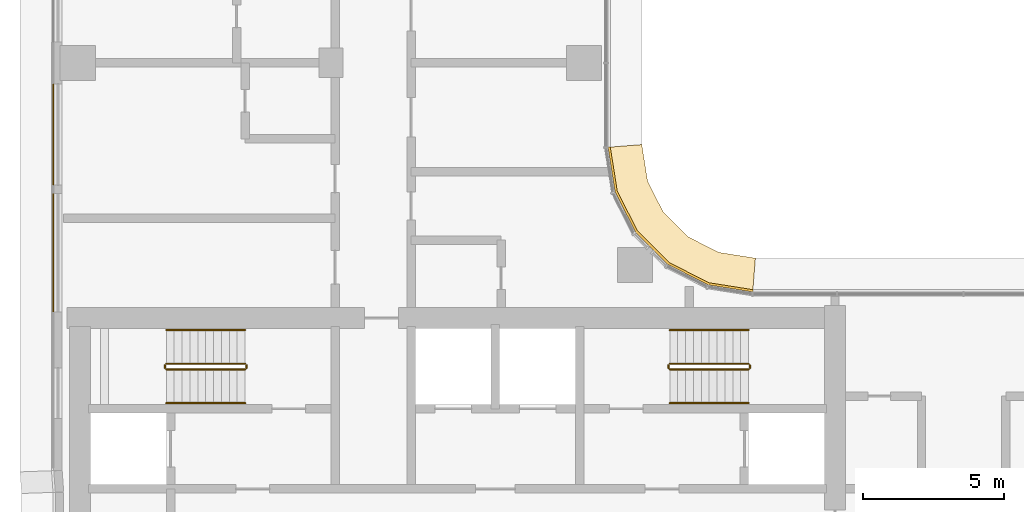
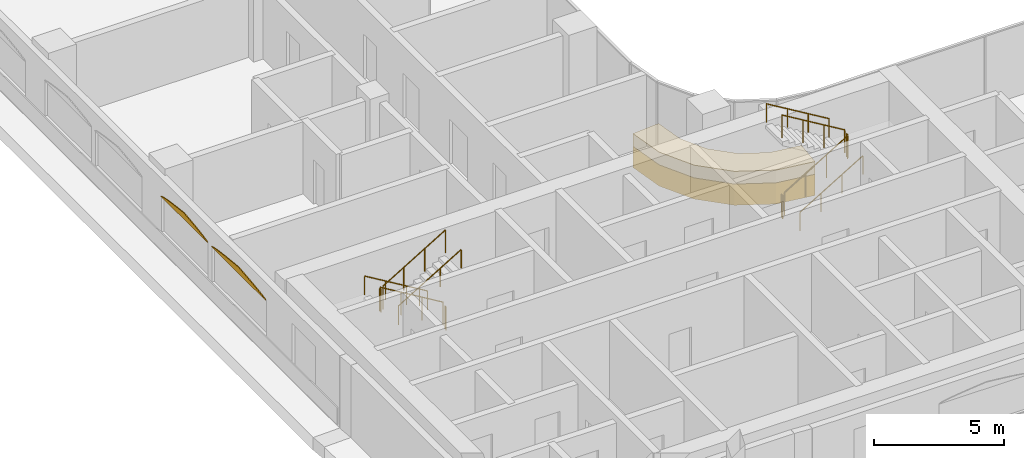
# One storey, part 33 of 40: 12 railings, 4 coverings.
"""IFC4 building model written with IfcOpenShell, lengths in metres."""

import ifcopenshell
import ifcopenshell.guid

model = None  # the IFC model being written
_history = None  # IfcOwnerHistory: only IFC2X3 demands one
_inside = {}  # id of a spatial element -> (the spatial element, [elements in it])
_under = {}  # id of a project, library or spatial element -> (it, [spatial elements below it])
_declared = {}  # id of a project -> (the project, [libraries it declares])
_typed = {}  # id of a type object -> (the type object, [elements of that type])
_made_of = {}  # id of a material, layer set ... -> (it, [elements and type objects made of it])


def new_model(schema):
    """Start an empty IFC model of exactly this schema.

    Asked for "IFC4X3", IfcOpenShell would pick the latest addendum, in which some entities
    have other attributes; the version numbers below select the first issue.
    IFC2X3 requires an IfcOwnerHistory on every rooted entity: one is made here for all.
    """
    global model, _history
    if schema == "IFC4X3":
        model = ifcopenshell.file(schema_version=(4, 3, 0, 0))
    else:
        model = ifcopenshell.file(schema=schema)
    _inside.clear()
    _under.clear()
    _declared.clear()
    _typed.clear()
    _made_of.clear()
    _history = None
    if model.schema == "IFC2X3":
        org = make("IfcOrganization", Name="unknown")
        user = make(
            "IfcPersonAndOrganization",
            ThePerson=make("IfcPerson", FamilyName="unknown"),
            TheOrganization=org,
        )
        app = make(
            "IfcApplication",
            ApplicationDeveloper=org,
            Version="unknown",
            ApplicationFullName="unknown",
            ApplicationIdentifier="unknown",
        )
        _history = make(
            "IfcOwnerHistory",
            OwningUser=user,
            OwningApplication=app,
            ChangeAction="ADDED",
            CreationDate=0,
        )
    return model


def make(cls, **values):
    """One entity of the class cls with the attributes given. An attribute that is None is left unset."""
    return model.create_entity(
        cls, **{name: value for name, value in values.items() if value is not None}
    )


def rooted(cls, **values):
    """An entity with a GlobalId (a new one), such as an element, a storey or a relation."""
    return make(cls, GlobalId=ifcopenshell.guid.new(), OwnerHistory=_history, **values)


def si_unit(unit_type, name, prefix=None):
    """IfcSIUnit, for example si_unit("LENGTHUNIT", "METRE", prefix="MILLI")."""
    return make("IfcSIUnit", UnitType=unit_type, Prefix=prefix, Name=name)


def assignment(units):
    """IfcUnitAssignment: the units of a project."""
    return None if units is None else make("IfcUnitAssignment", Units=units)


def point(xyz):
    """IfcCartesianPoint."""
    return None if xyz is None else make("IfcCartesianPoint", Coordinates=xyz)


def direction(xyz):
    """IfcDirection."""
    return None if xyz is None else make("IfcDirection", DirectionRatios=xyz)


def frame(location, z_axis=None, x_axis=None):
    """IfcAxis2Placement3D, a coordinate frame: its origin and axes. An axis left out is left unset."""
    return make(
        "IfcAxis2Placement3D",
        Location=point(location),
        Axis=direction(z_axis),
        RefDirection=direction(x_axis),
    )


def frame_2d(location, x_axis=None):
    """IfcAxis2Placement2D, a coordinate frame in the plane: its origin and x axis."""
    return make(
        "IfcAxis2Placement2D", Location=point(location), RefDirection=direction(x_axis)
    )


def origin():
    """The frame at (0, 0, 0) with its axes left unset."""
    return frame((0.0, 0.0, 0.0))


def origin_2d():
    """The frame at (0, 0) in the plane with its x axis left unset."""
    return frame_2d((0.0, 0.0))


def place(relative_to, where):
    """IfcLocalPlacement: puts the frame where relative to a parent placement (None: the world)."""
    return make(
        "IfcLocalPlacement", PlacementRelTo=relative_to, RelativePlacement=where
    )


def context(
    kind, dimensions, precision=None, world=None, true_north=None, identifier=None
):
    """IfcGeometricRepresentationContext, for example the 3D "Model" context."""
    return make(
        "IfcGeometricRepresentationContext",
        ContextIdentifier=identifier,
        ContextType=kind,
        CoordinateSpaceDimension=dimensions,
        Precision=precision,
        WorldCoordinateSystem=world,
        TrueNorth=true_north,
    )


def subcontext(parent, identifier, kind, view, scale=None):
    """IfcGeometricRepresentationSubContext, for example "Body" below "Model"."""
    return make(
        "IfcGeometricRepresentationSubContext",
        ContextIdentifier=identifier,
        ContextType=kind,
        ParentContext=parent,
        TargetScale=scale,
        TargetView=view,
    )


def project(units=None, contexts=None):
    """IfcProject with its units and contexts."""
    return rooted(
        "IfcProject",
        Name="project",
        RepresentationContexts=contexts,
        UnitsInContext=assignment(units),
    )


def spatial(cls, under=None, at=None, **own):
    """A site, building, storey or space (cls), placed at a placement, below another one or the project."""
    s = rooted(cls, ObjectPlacement=at, **own)
    if under is not None:
        _under.setdefault(under.id(), (under, []))[1].append(s)
    return s


def polyline(points):
    """IfcPolyline through the points."""
    return make("IfcPolyline", Points=[point(p) for p in points])


def profile(cls, at=None, kind="AREA", **sizes):
    """A parametric profile (cls). Its sizes go by their IFC names, for example OverallWidth=200.0."""
    return make(cls, ProfileType=kind, Position=at, **sizes)


def circle(**sizes):
    """IfcCircleProfileDef."""
    return profile("IfcCircleProfileDef", **sizes)


def outline(outer, holes=None, kind="AREA"):
    """IfcArbitraryClosedProfileDef: a profile drawn as a closed curve; with holes, ...WithVoids."""
    if holes is None:
        return make("IfcArbitraryClosedProfileDef", ProfileType=kind, OuterCurve=outer)
    return make(
        "IfcArbitraryProfileDefWithVoids",
        ProfileType=kind,
        OuterCurve=outer,
        InnerCurves=holes,
    )


def extrude(swept, where, along, depth):
    """IfcExtrudedAreaSolid: the profile swept, set in the frame where, extruded along a direction by depth."""
    return make(
        "IfcExtrudedAreaSolid",
        SweptArea=swept,
        Position=where,
        ExtrudedDirection=direction(along),
        Depth=depth,
    )


def shape(context_of_items, identifier, shape_type, items):
    """IfcShapeRepresentation: the items that make up one representation, for example the "Body"."""
    return make(
        "IfcShapeRepresentation",
        ContextOfItems=context_of_items,
        RepresentationIdentifier=identifier,
        RepresentationType=shape_type,
        Items=items,
    )


def material(Name=None, Category=None):
    """IfcMaterial."""
    return make("IfcMaterial", Name=Name, Category=Category)


def layer(
    of_material, thickness, ventilated=None, Name=None, Category=None, Priority=None
):
    """IfcMaterialLayer: one layer of a wall or slab, of a material (None: an air gap)."""
    return make(
        "IfcMaterialLayer",
        Material=of_material,
        LayerThickness=thickness,
        IsVentilated=ventilated,
        Name=Name,
        Category=Category,
        Priority=Priority,
    )


def layer_set(layers, Name=None):
    """IfcMaterialLayerSet."""
    return make("IfcMaterialLayerSet", MaterialLayers=layers, LayerSetName=Name)


def made_of(thing, what):
    """Note that an element or type object is made of a material, layer set ...; save() writes the relation."""
    if what is not None:
        _made_of.setdefault(what.id(), (what, []))[1].append(thing)
    return thing


def type_object(cls, material=None, **own):
    """A type object (cls), such as IfcWallType, which elements share."""
    return made_of(rooted(cls, **own), material)


def element(
    cls,
    number,
    at=None,
    inside=None,
    cuts=None,
    type_object=None,
    material=None,
    context=None,
    identifier="Body",
    shape_type=None,
    held_by="IfcProductDefinitionShape",
    body=None,
    shapes=None,
    **own,
):
    """One element of the class cls, such as IfcWall. Its Tag is "e" and its number.

    at: its placement. inside: the storey or other place that contains it. cuts: it is an
    opening in that element (IfcRelVoidsElement). A single representation is given by context,
    identifier, shape_type and body (its items); several are given by shapes. held_by: the class
    of the entity that holds the representations. save() writes the other relations.
    """
    e = rooted(cls, Tag="e%d" % number, ObjectPlacement=at, **own)
    if body is not None:
        shapes = [shape(context, identifier, shape_type, body)]
    if shapes is not None:
        e.Representation = make(held_by, Representations=shapes)
    if inside is not None:
        _inside.setdefault(inside.id(), (inside, []))[1].append(e)
    if cuts is not None:
        rooted(
            "IfcRelVoidsElement", RelatingBuildingElement=cuts, RelatedOpeningElement=e
        )
    if type_object is not None:
        _typed.setdefault(type_object.id(), (type_object, []))[1].append(e)
    return made_of(e, material)


def aggregate(whole, parts):
    """IfcRelAggregates: a whole, such as a stair, and the parts it consists of."""
    return rooted("IfcRelAggregates", RelatingObject=whole, RelatedObjects=parts)


def save(model, path):
    """Write the relations noted so far, then the file.

    IfcRelAggregates (storeys below a building ...), IfcRelContainedInSpatialStructure (elements
    in a storey), IfcRelDefinesByType, IfcRelAssociatesMaterial and IfcRelDeclares: one each for
    every whole, place, type object, material and project.
    """
    for whole, parts in _under.values():
        aggregate(whole, parts)
    for where, things in _inside.values():
        rooted(
            "IfcRelContainedInSpatialStructure",
            RelatedElements=things,
            RelatingStructure=where,
        )
    for kind, things in _typed.values():
        rooted("IfcRelDefinesByType", RelatedObjects=things, RelatingType=kind)
    for what, things in _made_of.values():
        rooted("IfcRelAssociatesMaterial", RelatedObjects=things, RelatingMaterial=what)
    for by, libraries in _declared.values():
        rooted("IfcRelDeclares", RelatingContext=by, RelatedDefinitions=libraries)
    model.write(path)


model = new_model("IFC4")

# Units and contexts
model_context = context("Model", 3, precision=1e-05, world=origin(), true_north=direction((0.0, 1.0)))
body_context = subcontext(model_context, "Body", "Model", "MODEL_VIEW")
ifc_project = project(units=[si_unit("LENGTHUNIT", "METRE"), si_unit("AREAUNIT", "SQUARE_METRE"), si_unit("VOLUMEUNIT", "CUBIC_METRE"), si_unit("PLANEANGLEUNIT", "RADIAN"), si_unit("MASSUNIT", "GRAM", prefix="KILO")], contexts=[model_context])

# Site, building, storey
site_placement = place(None, origin())
site = spatial("IfcSite", under=ifc_project, at=site_placement, CompositionType="ELEMENT")
building_placement = place(site_placement, origin())
building = spatial("IfcBuilding", under=site, at=building_placement, Name="Ogive Portal Towers", CompositionType="ELEMENT")
storey_placement = place(building_placement, frame((0.0, 0.0, 87.10009765625)))
storey = spatial("IfcBuildingStorey", under=building, at=storey_placement, Name="L20", CompositionType="ELEMENT", Elevation=87.10009765625)

# Railings
ifc_material_1 = material(Name="Stainless steel balustrade", Category="steel")
railing_type_1 = type_object("IfcRailingType", Name="INT-GUARD", PredefinedType="GUARDRAIL", material=ifc_material_1)
railing_1_placement = place(storey_placement, frame((37.449951171875, 37.800048828125, 0.16796875)))
element("IfcRailing", 1, at=railing_1_placement, inside=storey, type_object=railing_type_1, Name="L20 ST-A1 stair guard 1", PredefinedType="GUARDRAIL", context=body_context, shape_type="SweptSolid", body=[
    extrude(circle(Radius=0.02392578125, at=origin_2d()), frame((0.0, 0.0, 1.076171875), z_axis=(-0.857242210791, 0.0, 0.514913383045), x_axis=(0.0, -1.0, 0.0)), (0.0, 0.0, 1.0), 3.266357421875),
    extrude(circle(Radius=0.02099609375, at=origin_2d()), origin(), (0.0, 0.0, 1.0), 1.052001953125),
    extrude(circle(Radius=0.02099609375, at=origin_2d()), frame((-0.933349609375, 0.0, 0.560546875)), (0.0, 0.0, 1.0), 1.052001953125),
    extrude(circle(Radius=0.02099609375, at=origin_2d()), frame((-1.86669921875, 0.0, 1.121337890625)), (0.0, 0.0, 1.0), 1.052001953125),
    extrude(circle(Radius=0.02099609375, at=origin_2d()), frame((-2.800048828125, 0.0, 1.681884765625)), (0.0, 0.0, 1.0), 1.052001953125),
])
railing_2_placement = place(storey_placement, frame((34.60009765625, 37.75, 1.849853515625)))
element("IfcRailing", 2, at=railing_2_placement, inside=storey, type_object=railing_type_1, Name="L20 ST-A1 stair guard 2", PredefinedType="GUARDRAIL", context=body_context, shape_type="SweptSolid", body=[
    extrude(circle(Radius=0.02392578125, at=origin_2d()), frame((0.0, 0.0, 1.076171875), z_axis=(0.0, -1.0, 0.0), x_axis=(1.0, 0.0, 0.0)), (0.0, 0.0, 1.0), 0.10009765625),
    extrude(circle(Radius=0.02099609375, at=origin_2d()), origin(), (0.0, 0.0, 1.0), 1.052001953125),
    extrude(circle(Radius=0.02099609375, at=origin_2d()), frame((0.0, -0.10009765625, 0.0)), (0.0, 0.0, 1.0), 1.052001953125),
])
railing_3_placement = place(storey_placement, frame((34.64990234375, 37.60009765625, 2.01806640625)))
element("IfcRailing", 3, at=railing_3_placement, inside=storey, type_object=railing_type_1, Name="L20 ST-A1 stair guard 3", PredefinedType="GUARDRAIL", context=body_context, shape_type="SweptSolid", body=[
    extrude(circle(Radius=0.02392578125, at=origin_2d()), frame((0.0, 0.0, 1.076171875), z_axis=(0.857242210791, 0.0, 0.514913383045), x_axis=(0.0, 1.0, 0.0)), (0.0, 0.0, 1.0), 3.266357421875),
    extrude(circle(Radius=0.02099609375, at=origin_2d()), origin(), (0.0, 0.0, 1.0), 1.052001953125),
    extrude(circle(Radius=0.02099609375, at=origin_2d()), frame((0.933349609375, 0.0, 0.560546875)), (0.0, 0.0, 1.0), 1.052001953125),
    extrude(circle(Radius=0.02099609375, at=origin_2d()), frame((1.86669921875, 0.0, 1.121337890625)), (0.0, 0.0, 1.0), 1.052001953125),
    extrude(circle(Radius=0.02099609375, at=origin_2d()), frame((2.800048828125, 0.0, 1.681884765625)), (0.0, 0.0, 1.0), 1.052001953125),
])
railing_4_placement = place(storey_placement, frame((37.5, 37.75, 0.0)))
element("IfcRailing", 4, at=railing_4_placement, inside=storey, type_object=railing_type_1, Name="L20 ST-A1 stair guard 4", PredefinedType="GUARDRAIL", context=body_context, shape_type="SweptSolid", body=[
    extrude(circle(Radius=0.02392578125, at=origin_2d()), frame((0.0, 0.0, 1.076171875), z_axis=(0.0, -1.0, 0.0), x_axis=(1.0, 0.0, 0.0)), (0.0, 0.0, 1.0), 0.10009765625),
    extrude(circle(Radius=0.02099609375, at=origin_2d()), origin(), (0.0, 0.0, 1.0), 1.052001953125),
    extrude(circle(Radius=0.02099609375, at=origin_2d()), frame((0.0, -0.10009765625, 0.0)), (0.0, 0.0, 1.0), 1.052001953125),
])
railing_5_placement = place(storey_placement, frame((52.550048828125, 37.60009765625, 0.16796875)))
element("IfcRailing", 5, at=railing_5_placement, inside=storey, type_object=railing_type_1, Name="L20 ST-A2 stair guard 1", PredefinedType="GUARDRAIL", context=body_context, shape_type="SweptSolid", body=[
    extrude(circle(Radius=0.02392578125, at=origin_2d()), frame((0.0, 0.0, 1.076171875), z_axis=(0.857242210791, 0.0, 0.514913383045), x_axis=(0.0, 1.0, 0.0)), (0.0, 0.0, 1.0), 3.266357421875),
    extrude(circle(Radius=0.02099609375, at=origin_2d()), origin(), (0.0, 0.0, 1.0), 1.052001953125),
    extrude(circle(Radius=0.02099609375, at=origin_2d()), frame((0.933349609375, 0.0, 0.560546875)), (0.0, 0.0, 1.0), 1.052001953125),
    extrude(circle(Radius=0.02099609375, at=origin_2d()), frame((1.86669921875, 0.0, 1.121337890625)), (0.0, 0.0, 1.0), 1.052001953125),
    extrude(circle(Radius=0.02099609375, at=origin_2d()), frame((2.800048828125, 0.0, 1.681884765625)), (0.0, 0.0, 1.0), 1.052001953125),
])
railing_6_placement = place(storey_placement, frame((55.39990234375, 37.64990234375, 1.849853515625)))
element("IfcRailing", 6, at=railing_6_placement, inside=storey, type_object=railing_type_1, Name="L20 ST-A2 stair guard 2", PredefinedType="GUARDRAIL", context=body_context, shape_type="SweptSolid", body=[
    extrude(circle(Radius=0.02392578125, at=origin_2d()), frame((0.0, 0.0, 1.076171875), z_axis=(0.0, 1.0, 0.0), x_axis=(-1.0, 0.0, 0.0)), (0.0, 0.0, 1.0), 0.10009765625),
    extrude(circle(Radius=0.02099609375, at=origin_2d()), origin(), (0.0, 0.0, 1.0), 1.052001953125),
    extrude(circle(Radius=0.02099609375, at=origin_2d()), frame((0.0, 0.10009765625, 0.0)), (0.0, 0.0, 1.0), 1.052001953125),
])
railing_7_placement = place(storey_placement, frame((55.35009765625, 37.800048828125, 2.01806640625)))
element("IfcRailing", 7, at=railing_7_placement, inside=storey, type_object=railing_type_1, Name="L20 ST-A2 stair guard 3", PredefinedType="GUARDRAIL", context=body_context, shape_type="SweptSolid", body=[
    extrude(circle(Radius=0.02392578125, at=origin_2d()), frame((0.0, 0.0, 1.076171875), z_axis=(-0.857242210791, 0.0, 0.514913383045), x_axis=(0.0, -1.0, 0.0)), (0.0, 0.0, 1.0), 3.266357421875),
    extrude(circle(Radius=0.02099609375, at=origin_2d()), origin(), (0.0, 0.0, 1.0), 1.052001953125),
    extrude(circle(Radius=0.02099609375, at=origin_2d()), frame((-0.933349609375, 0.0, 0.560546875)), (0.0, 0.0, 1.0), 1.052001953125),
    extrude(circle(Radius=0.02099609375, at=origin_2d()), frame((-1.86669921875, 0.0, 1.121337890625)), (0.0, 0.0, 1.0), 1.052001953125),
    extrude(circle(Radius=0.02099609375, at=origin_2d()), frame((-2.800048828125, 0.0, 1.681884765625)), (0.0, 0.0, 1.0), 1.052001953125),
])
railing_8_placement = place(storey_placement, frame((52.5, 37.64990234375, 0.0)))
element("IfcRailing", 8, at=railing_8_placement, inside=storey, type_object=railing_type_1, Name="L20 ST-A2 stair guard 4", PredefinedType="GUARDRAIL", context=body_context, shape_type="SweptSolid", body=[
    extrude(circle(Radius=0.02392578125, at=origin_2d()), frame((0.0, 0.0, 1.076171875), z_axis=(0.0, 1.0, 0.0), x_axis=(-1.0, 0.0, 0.0)), (0.0, 0.0, 1.0), 0.10009765625),
    extrude(circle(Radius=0.02099609375, at=origin_2d()), origin(), (0.0, 0.0, 1.0), 1.052001953125),
    extrude(circle(Radius=0.02099609375, at=origin_2d()), frame((0.0, 0.10009765625, 0.0)), (0.0, 0.0, 1.0), 1.052001953125),
])
ifc_material_2 = material(Name="Stainless steel handrail", Category="steel")
railing_type_2 = type_object("IfcRailingType", Name="INT-HANDRAIL", PredefinedType="HANDRAIL", material=ifc_material_2)
railing_9_placement = place(storey_placement, frame((37.449951171875, 39.0, 0.16796875)))
element("IfcRailing", 9, at=railing_9_placement, inside=storey, type_object=railing_type_2, Name="L20 ST-A1 stair handrail 1", PredefinedType="HANDRAIL", context=body_context, shape_type="SweptSolid", body=[
    extrude(circle(Radius=0.02392578125, at=origin_2d()), frame((0.0, 0.0, 0.8759765625), z_axis=(-0.857242210791, 0.0, 0.514913383045), x_axis=(0.0, -1.0, 0.0)), (0.0, 0.0, 1.0), 3.266357421875),
    extrude(circle(Radius=0.02099609375, at=origin_2d()), origin(), (0.0, 0.0, 1.0), 0.851806640625),
    extrude(circle(Radius=0.02099609375, at=origin_2d()), frame((-0.933349609375, 0.0, 0.560546875)), (0.0, 0.0, 1.0), 0.851806640625),
    extrude(circle(Radius=0.02099609375, at=origin_2d()), frame((-1.86669921875, 0.0, 1.121337890625)), (0.0, 0.0, 1.0), 0.851806640625),
    extrude(circle(Radius=0.02099609375, at=origin_2d()), frame((-2.800048828125, 0.0, 1.681884765625)), (0.0, 0.0, 1.0), 0.851806640625),
])
for number, where, name in (
    (10, (34.64990234375, 36.39990234375, 2.01806640625), "L20 ST-A1 stair handrail 2"),
    (11, (52.550048828125, 36.39990234375, 0.16796875), "L20 ST-A2 stair handrail 1"),
):
    element("IfcRailing", number, at=place(storey_placement, frame(where)), inside=storey, type_object=railing_type_2, Name=name, PredefinedType="HANDRAIL", context=body_context, shape_type="SweptSolid", body=[
        extrude(circle(Radius=0.02392578125, at=origin_2d()), frame((0.0, 0.0, 0.8759765625), z_axis=(0.857242210791, 0.0, 0.514913383045), x_axis=(0.0, 1.0, 0.0)), (0.0, 0.0, 1.0), 3.266357421875),
        extrude(circle(Radius=0.02099609375, at=origin_2d()), origin(), (0.0, 0.0, 1.0), 0.851806640625),
        extrude(circle(Radius=0.02099609375, at=origin_2d()), frame((0.933349609375, 0.0, 0.560546875)), (0.0, 0.0, 1.0), 0.851806640625),
        extrude(circle(Radius=0.02099609375, at=origin_2d()), frame((1.86669921875, 0.0, 1.121337890625)), (0.0, 0.0, 1.0), 0.851806640625),
        extrude(circle(Radius=0.02099609375, at=origin_2d()), frame((2.800048828125, 0.0, 1.681884765625)), (0.0, 0.0, 1.0), 0.851806640625),
    ])
railing_10_placement = place(storey_placement, frame((55.35009765625, 39.0, 2.01806640625)))
element("IfcRailing", 12, at=railing_10_placement, inside=storey, type_object=railing_type_2, Name="L20 ST-A2 stair handrail 2", PredefinedType="HANDRAIL", context=body_context, shape_type="SweptSolid", body=[
    extrude(circle(Radius=0.02392578125, at=origin_2d()), frame((0.0, 0.0, 0.8759765625), z_axis=(-0.857242210791, 0.0, 0.514913383045), x_axis=(0.0, -1.0, 0.0)), (0.0, 0.0, 1.0), 3.266357421875),
    extrude(circle(Radius=0.02099609375, at=origin_2d()), origin(), (0.0, 0.0, 1.0), 0.851806640625),
    extrude(circle(Radius=0.02099609375, at=origin_2d()), frame((-0.933349609375, 0.0, 0.560546875)), (0.0, 0.0, 1.0), 0.851806640625),
    extrude(circle(Radius=0.02099609375, at=origin_2d()), frame((-1.86669921875, 0.0, 1.121337890625)), (0.0, 0.0, 1.0), 0.851806640625),
    extrude(circle(Radius=0.02099609375, at=origin_2d()), frame((-2.800048828125, 0.0, 1.681884765625)), (0.0, 0.0, 1.0), 0.851806640625),
])

# Coverings
ifc_material_3 = material(Name="Limestone cladding on lightweight block wall", Category="masonry")
ifc_layer_1 = layer(ifc_material_3, 0.0400390625)
ifc_layer_set_1 = layer_set([ifc_layer_1], Name="LANCET HEAD STONE")
covering_type_1 = type_object("IfcCoveringType", Name="LANCET HEAD STONE", PredefinedType="CLADDING", material=ifc_layer_set_1)
covering_1_placement = place(storey_placement, frame((30.64501953125, 47.75, 2.599853515625), z_axis=(0.999948962613, 0.0, 0.010103077205), x_axis=(0.0, -1.0, 0.0)))
element("IfcCovering", 13, at=covering_1_placement, inside=storey, type_object=covering_type_1, Name="Lancet head", PredefinedType="CLADDING", context=body_context, shape_type="SweptSolid", body=[
    extrude(outline(polyline([(0.0, 0.0), (3.60009765625, 0.0), (3.5205078125, -0.037600670507037484), (3.375, -0.07495474627779121), (3.186767578125, -0.1125554167848287), (2.963623046875, -0.15015362072028288), (2.710693359375, -0.18751016306261992), (2.430908203125, -0.2251083669980741), (2.126708984375, -0.2624649093404111), (1.800048828125, -0.3000631132758653), (1.473388671875, -0.2624649093404111), (1.169189453125, -0.2251083669980741), (0.889404296875, -0.18751016306261992), (0.636474609375, -0.15015362072028288), (0.413330078125, -0.1125554167848287), (0.22509765625, -0.07495474627779121), (0.07958984375, -0.037600670507037484), (0.0, 0.0)])), origin(), (0.0, 0.0, -1.0), 0.0400390625),
])
covering_2_placement = place(storey_placement, frame((30.64501953125, 43.85009765625, 2.599853515625), z_axis=(0.999948962386, 0.0, 0.010103099685), x_axis=(0.0, -1.0, 0.0)))
element("IfcCovering", 14, at=covering_2_placement, inside=storey, type_object=covering_type_1, Name="Lancet head", PredefinedType="CLADDING", context=body_context, shape_type="SweptSolid", body=[
    extrude(outline(polyline([(0.0, 0.0), (4.2001953125, 0.0), (4.107177734375, -0.03760067050947447), (3.9375, -0.07495474627723249), (3.7177734375, -0.11255541678670695), (3.45751953125, -0.15015362071910998), (3.162353515625, -0.18751016306393944), (2.836181640625, -0.22510836699634246), (2.481201171875, -0.2624649093411719), (2.10009765625, -0.30006311327357493), (1.718994140625, -0.2624649093411719), (1.364013671875, -0.22510836699634246), (1.037841796875, -0.18751016306393944), (0.74267578125, -0.15015362071910998), (0.482421875, -0.11255541678670695), (0.2626953125, -0.07495474627723249), (0.093017578125, -0.03760067050947447), (0.0, 0.0)])), origin(), (0.0, 0.0, -1.0), 0.0400390625),
])
ifc_layer_2 = layer(ifc_material_3, 0.080078125)
ifc_layer_set_2 = layer_set([ifc_layer_2], Name="STONE SPANDREL 80")
covering_type_2 = type_object("IfcCoveringType", Name="STONE SPANDREL 80", PredefinedType="CLADDING", material=ifc_layer_set_2)
covering_3_placement = place(storey_placement, frame((0.0, 0.0, -1.60009765625)))
element("IfcCovering", 15, at=covering_3_placement, inside=storey, type_object=covering_type_2, Name="Stone spandrel A1-F10", PredefinedType="CLADDING", context=body_context, shape_type="SweptSolid", body=[
    extrude(outline(polyline([(55.5, 40.35498046875), (53.91015625, 40.60693359375), (52.475830078125, 41.337646484375), (51.337646484375, 42.475830078125), (50.60693359375, 43.91015625), (50.35498046875, 45.5), (50.43505859375, 45.50634765625), (50.683837890625, 43.93505859375), (51.403076171875, 42.5234375), (52.5234375, 41.403076171875), (53.93505859375, 40.683837890625), (55.50634765625, 40.43505859375), (55.5, 40.35498046875)])), origin(), (0.0, 0.0, 1.0), 1.0),
])
ifc_layer_3 = layer(ifc_material_3, 0.60009765625)
ifc_layer_set_3 = layer_set([ifc_layer_3], Name="SUNSHADE LIP 600")
covering_type_3 = type_object("IfcCoveringType", Name="SUNSHADE LIP 600", PredefinedType="CLADDING", material=ifc_layer_set_3)
covering_4_placement = place(storey_placement, frame((0.0, 0.0, -0.60009765625)))
element("IfcCovering", 16, at=covering_4_placement, inside=storey, type_object=covering_type_3, Name="Sunshade lip A1-F10", PredefinedType="CLADDING", context=body_context, shape_type="SweptSolid", body=[
    extrude(outline(polyline([(55.5, 40.35498046875), (53.91015625, 40.60693359375), (52.475830078125, 41.337646484375), (51.337646484375, 42.475830078125), (50.60693359375, 43.91015625), (50.35498046875, 45.5), (51.554931640625, 45.594482421875), (51.76220703125, 44.28564453125), (52.320556640625, 43.18994140625), (53.18994140625, 42.320556640625), (54.28564453125, 41.76220703125), (55.594482421875, 41.554931640625), (55.5, 40.35498046875)])), origin(), (0.0, 0.0, 1.0), 0.60009765625),
])

save(model, "model.ifc")
